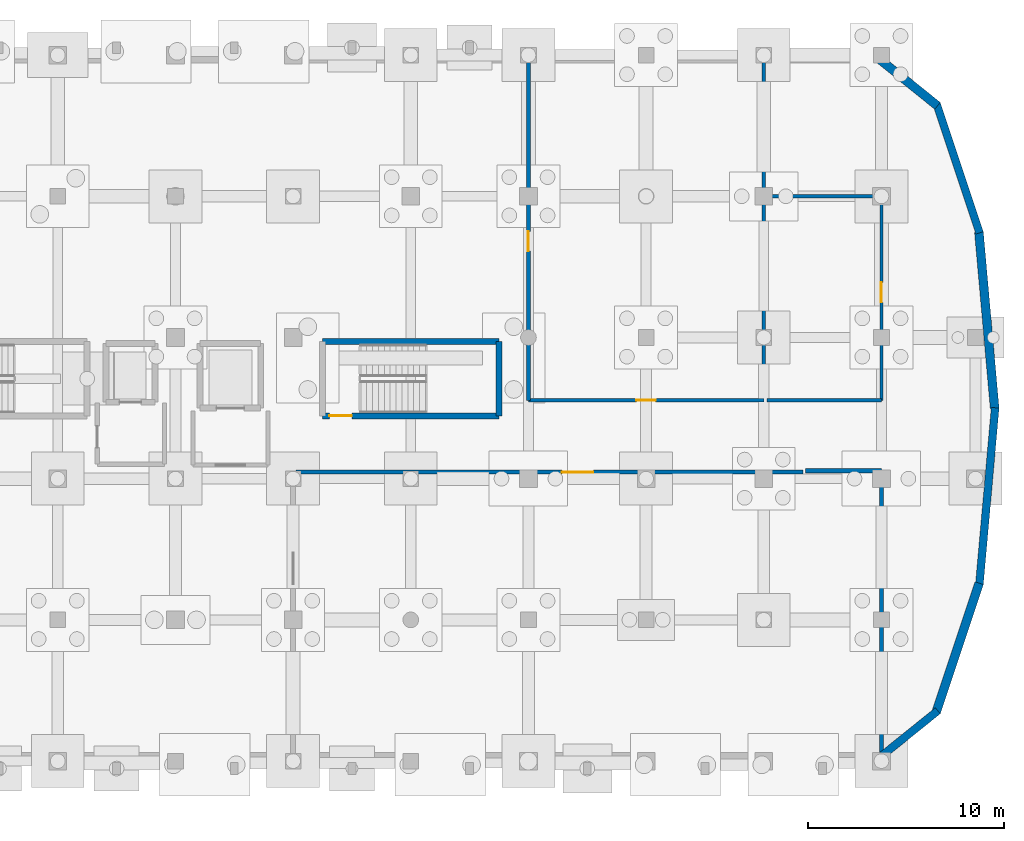
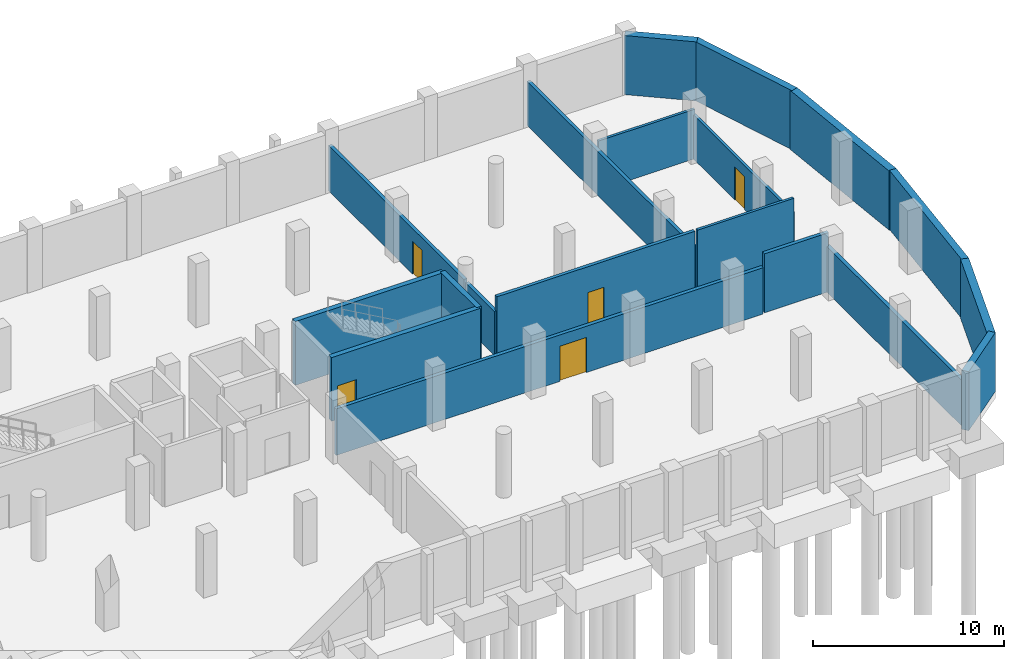
# One storey, part 7 of 11: 19 walls, 5 doors, 5 openings.
"""IFC4 building model written with IfcOpenShell, lengths in metres."""

from ifc_helpers import new_model, si_unit, direction, frame, frame_2d, origin, place, context, subcontext, project, spatial, rectangle, extrude, material, layer, layer_set, type_object, element, fill, save


model = new_model("IFC4")

# Units and contexts
model_context = context("Model", 3, precision=1e-05, world=origin(), true_north=direction((0.0, 1.0)))
body_context = subcontext(model_context, "Body", "Model", "MODEL_VIEW")
ifc_project = project(units=[si_unit("LENGTHUNIT", "METRE"), si_unit("AREAUNIT", "SQUARE_METRE"), si_unit("VOLUMEUNIT", "CUBIC_METRE"), si_unit("PLANEANGLEUNIT", "RADIAN"), si_unit("MASSUNIT", "GRAM", prefix="KILO")], contexts=[model_context])

# Site, building, storey
site_placement = place(None, origin())
site = spatial("IfcSite", under=ifc_project, at=site_placement, CompositionType="ELEMENT")
building_placement = place(site_placement, origin())
building = spatial("IfcBuilding", under=site, at=building_placement, Name="Dunvalen Ferry Terminal", CompositionType="ELEMENT")
storey_placement = place(building_placement, frame((0.0, 0.0, -4.080078125)))
storey = spatial("IfcBuildingStorey", under=building, at=storey_placement, Name="B1", CompositionType="ELEMENT", Elevation=-4.080078125)

# Wall, opening, door
ifc_material_1 = material(Name="Autoclaved aerated concrete blockwork", Category="masonry")
ifc_layer_1 = layer(ifc_material_1, 0.199951171875, Name="Autoclaved aerated concrete blockwork")
ifc_layer_set_1 = layer_set([ifc_layer_1], Name="Autoclaved aerated concrete blockwork")
wall_type_1 = type_object("IfcWallType", Name="INT-WL-CMP200", PredefinedType="PARTITIONING", material=ifc_layer_set_1)
wall_1_placement = place(storey_placement, frame((72.0, 21.60009765625, 0.0), z_axis=(0.0, 0.0, 1.0), x_axis=(0.0, 1.0, 0.0)))
wall_1 = element("IfcWall", 1, at=wall_1_placement, inside=storey, type_object=wall_type_1, Name="B1 B1 Terminal Equipment Store and Maintenance Workshop Partition 4", PredefinedType="PARTITIONING", context=body_context, shape_type="SweptSolid", body=[
    extrude(rectangle(XDim=14.179931640625, YDim=0.199951171875, at=frame_2d((7.08984375, 0.0))), origin(), (0.0, 0.0, 1.0), 2.920166015625),
])
opening_1_placement = place(wall_1_placement, frame((4.40625, 0.0, 0.0)))
opening_1 = element("IfcOpeningElement", 2, at=opening_1_placement, cuts=wall_1, Name="Opening ID-10", PredefinedType="OPENING", context=body_context, shape_type="SweptSolid", body=[
    extrude(rectangle(XDim=1.0, YDim=2.1201171875, at=frame_2d((0.5, 1.06005859375))), frame((0.0, 0.10986328125, 0.0), z_axis=(0.0, -1.0, 0.0), x_axis=(1.0, 0.0, 0.0)), (0.0, 0.0, 1.0), 0.219970703125),
])
ifc_material_2 = material(Name="FSC European oak acoustic fire door", Category="wood")
door_type_1 = type_object("IfcDoorType", Name="INT-DR-OFF-1000", OperationType="NOTDEFINED", PredefinedType="DOOR", material=ifc_material_2)
door_1_placement = place(opening_1_placement, origin())
door_1 = element("IfcDoor", 3, at=door_1_placement, inside=storey, type_object=door_type_1, Name="B1 Terminal Equipment Store and Maintenance Workshop Door", OperationType="SINGLE_SWING_LEFT", OverallHeight=2.1201171875, OverallWidth=1.0, PredefinedType="DOOR", context=body_context, shape_type="SweptSolid", body=[
    extrude(rectangle(XDim=1.0, YDim=2.1201171875, at=frame_2d((0.5, 1.06005859375))), frame((0.0, 0.02490234375, 0.0), z_axis=(0.0, -1.0, 0.0), x_axis=(1.0, 0.0, 0.0)), (0.0, 0.0, 1.0), 0.050048828125),
])
fill(opening_1, door_1)

# Wall
wall_2_placement = place(storey_placement, frame((72.0, 21.43994140625, 0.0), z_axis=(0.0, 0.0, 1.0), x_axis=(0.0, -1.0, 0.0)))
element("IfcWall", 4, at=wall_2_placement, inside=storey, type_object=wall_type_1, Name="B1 B1 Port Staff Changing and Shower Room Partition 5", PredefinedType="PARTITIONING", context=body_context, shape_type="SweptSolid", body=[
    extrude(rectangle(XDim=3.0400390625, YDim=0.199951171875, at=frame_2d((1.52001953125, 0.0))), origin(), (0.0, 0.0, 1.0), 2.820068359375),
])

# Wall, opening, door
wall_3_placement = place(storey_placement, frame((72.0, 18.39990234375, 0.0), z_axis=(0.0, 0.0, 1.0), x_axis=(1.0, 0.0, 0.0)))
wall_3 = element("IfcWall", 5, at=wall_3_placement, inside=storey, type_object=wall_type_1, Name="B1 B1 Port Staff Changing and Shower Room Partition 6", PredefinedType="PARTITIONING", context=body_context, shape_type="SweptSolid", body=[
    extrude(rectangle(XDim=12.0, YDim=0.199951171875, at=frame_2d((6.0, 0.0))), origin(), (0.0, 0.0, 1.0), 3.780029296875),
])
opening_2_placement = place(wall_3_placement, frame((5.510009765625, 0.0, 0.0)))
opening_2 = element("IfcOpeningElement", 6, at=opening_2_placement, cuts=wall_3, Name="Opening ID-11", PredefinedType="OPENING", context=body_context, shape_type="SweptSolid", body=[
    extrude(rectangle(XDim=0.97998046875, YDim=2.1201171875, at=frame_2d((0.489990234375, 1.06005859375))), frame((0.0, 0.10986328125, 0.0), z_axis=(0.0, -1.0, 0.0), x_axis=(1.0, 0.0, 0.0)), (0.0, 0.0, 1.0), 0.219970703125),
])
door_type_2 = type_object("IfcDoorType", Name="INT-DR-OFF-0980", OperationType="NOTDEFINED", PredefinedType="DOOR", material=ifc_material_2)
door_2_placement = place(opening_2_placement, origin())
door_2 = element("IfcDoor", 7, at=door_2_placement, inside=storey, type_object=door_type_2, Name="B1 Port Staff Changing and Shower Room Door", OperationType="SINGLE_SWING_RIGHT", OverallHeight=2.1201171875, OverallWidth=0.97998046875, PredefinedType="DOOR", context=body_context, shape_type="SweptSolid", body=[
    extrude(rectangle(XDim=0.97998046875, YDim=2.1201171875, at=frame_2d((0.489990234375, 1.06005859375))), frame((0.0, 0.02490234375, 0.0), z_axis=(0.0, -1.0, 0.0), x_axis=(1.0, 0.0, 0.0)), (0.0, 0.0, 1.0), 0.050048828125),
])
fill(opening_2, door_2)

# Walls
wall_4_placement = place(storey_placement, frame((84.0, 18.39990234375, 0.0), z_axis=(0.0, 0.0, 1.0), x_axis=(0.0, 1.0, 0.0)))
element("IfcWall", 8, at=wall_4_placement, inside=storey, type_object=wall_type_1, Name="B1 B1 Port Staff Changing and Shower Room Partition 7", PredefinedType="PARTITIONING", context=body_context, shape_type="SweptSolid", body=[
    extrude(rectangle(XDim=17.380126953125, YDim=0.199951171875, at=frame_2d((8.68994140625, 0.0))), origin(), (0.0, 0.0, 1.0), 2.820068359375),
])
ifc_material_3 = material(Name="Concrete C35/45", Category="concrete")
ifc_layer_2 = layer(ifc_material_3, 0.219970703125, Name="Concrete C35/45")
ifc_layer_set_2 = layer_set([ifc_layer_2], Name="Concrete C35/45")
wall_type_2 = type_object("IfcWallType", Name="INT-WL-CMP220", PredefinedType="SOLIDWALL", material=ifc_layer_set_2)
wall_5_placement = place(storey_placement, frame((90.0, 0.2822265625, 0.0), z_axis=(0.0, 0.0, 1.0), x_axis=(0.0, 1.0, 0.0)))
element("IfcWall", 9, at=wall_5_placement, inside=storey, type_object=wall_type_2, Name="B1 B1 Sprinkler and Potable Water Storage Room Partition 1", PredefinedType="SOLIDWALL", context=body_context, shape_type="SweptSolid", body=[
    extrude(rectangle(XDim=14.517822265625, YDim=0.219970703125, at=frame_2d((7.2587890625, 0.0))), origin(), (0.0, 0.0, 1.0), 2.920166015625),
])
wall_6_placement = place(storey_placement, frame((90.0, 14.800048828125, 0.0), z_axis=(0.0, 0.0, 1.0), x_axis=(-1.0, 0.0, 0.0)))
element("IfcWall", 10, at=wall_6_placement, inside=storey, type_object=wall_type_2, Name="B1 B1 Sprinkler and Potable Water Storage Room Partition 2", PredefinedType="SOLIDWALL", context=body_context, shape_type="SweptSolid", body=[
    extrude(rectangle(XDim=3.875244140625, YDim=0.219970703125, at=frame_2d((1.9375, 0.0))), origin(), (0.0, 0.0, 1.0), 3.780029296875),
])

# Wall, opening, door
wall_7_placement = place(storey_placement, frame((86.0, 14.739990234375, 0.0), z_axis=(0.0, 0.0, 1.0), x_axis=(-1.0, 0.0, 0.0)))
wall_7 = element("IfcWall", 11, at=wall_7_placement, inside=storey, type_object=wall_type_2, Name="B1 B1 Sprinkler and Potable Water Storage Room Partition 4", PredefinedType="SOLIDWALL", context=body_context, shape_type="SweptSolid", body=[
    extrude(rectangle(XDim=25.840087890625, YDim=0.219970703125, at=frame_2d((12.919921875, 0.0))), origin(), (0.0, 0.0, 1.0), 2.969970703125),
])
opening_3_placement = place(wall_7_placement, frame((10.6943359375, 0.0, 0.0)))
opening_3 = element("IfcOpeningElement", 12, at=opening_3_placement, cuts=wall_7, Name="Opening ID-05", PredefinedType="OPENING", context=body_context, shape_type="SweptSolid", body=[
    extrude(rectangle(XDim=1.60009765625, YDim=2.25, at=frame_2d((0.800048828125, 1.125))), frame((0.0, 0.1201171875, 0.0), z_axis=(0.0, -1.0, 0.0), x_axis=(1.0, 0.0, 0.0)), (0.0, 0.0, 1.0), 0.239990234375),
])
ifc_material_4 = material(Name="Galvanised acoustic steel fire door", Category="steel")
door_type_3 = type_object("IfcDoorType", Name="INT-DR-PLT-1600", OperationType="DOUBLE_SWING_LEFT", PredefinedType="DOOR", material=ifc_material_4)
door_3_placement = place(opening_3_placement, origin())
door_3 = element("IfcDoor", 13, at=door_3_placement, inside=storey, type_object=door_type_3, Name="B1 Sprinkler and Potable Water Storage Room Door", OperationType="DOUBLE_SWING_LEFT", OverallHeight=2.25, OverallWidth=1.60009765625, PredefinedType="DOOR", context=body_context, shape_type="SweptSolid", body=[
    extrude(rectangle(XDim=1.60009765625, YDim=2.25, at=frame_2d((0.800048828125, 1.125))), frame((0.0, 0.02490234375, 0.0), z_axis=(0.0, -1.0, 0.0), x_axis=(1.0, 0.0, 0.0)), (0.0, 0.0, 1.0), 0.050048828125),
])
fill(opening_3, door_3)

# Wall
ifc_material_5 = material(Name="Moisture-resistant tile-backer partition", Category="gypsum")
ifc_layer_3 = layer(ifc_material_5, 0.159912109375, Name="Moisture-resistant tile-backer partition")
ifc_layer_set_3 = layer_set([ifc_layer_3], Name="Moisture-resistant tile-backer partition")
wall_type_3 = type_object("IfcWallType", Name="INT-WL-PRT160", PredefinedType="PARTITIONING", material=ifc_layer_set_3)
wall_8_placement = place(storey_placement, frame((84.159912109375, 18.39990234375, 0.0), z_axis=(0.0, 0.0, 1.0), x_axis=(1.0, 0.0, 0.0)))
element("IfcWall", 14, at=wall_8_placement, inside=storey, type_object=wall_type_3, Name="B1 B1 Accessible Staff WC Partition 2", PredefinedType="PARTITIONING", context=body_context, shape_type="SweptSolid", body=[
    extrude(rectangle(XDim=5.840087890625, YDim=0.159912109375, at=frame_2d((2.919921875, 0.0))), origin(), (0.0, 0.0, 1.0), 3.780029296875),
])

# Wall, opening, door
wall_9_placement = place(storey_placement, frame((90.0, 18.39990234375, 0.0), z_axis=(0.0, 0.0, 1.0), x_axis=(0.0, 1.0, 0.0)))
wall_9 = element("IfcWall", 15, at=wall_9_placement, inside=storey, type_object=wall_type_3, Name="B1 B1 Accessible Staff WC Partition 3", PredefinedType="PARTITIONING", context=body_context, shape_type="SweptSolid", body=[
    extrude(rectangle(XDim=10.400146484375, YDim=0.159912109375, at=frame_2d((5.2001953125, 0.0))), origin(), (0.0, 0.0, 1.0), 2.820068359375),
])
opening_4_placement = place(wall_9_placement, frame((4.989990234375, 0.0, 0.0)))
opening_4 = element("IfcOpeningElement", 16, at=opening_4_placement, cuts=wall_9, Name="Opening ID-13", PredefinedType="OPENING", context=body_context, shape_type="SweptSolid", body=[
    extrude(rectangle(XDim=1.02001953125, YDim=2.10009765625, at=frame_2d((0.510009765625, 1.050048828125))), frame((0.0, 0.08984375, 0.0), z_axis=(0.0, -1.0, 0.0), x_axis=(1.0, 0.0, 0.0)), (0.0, 0.0, 1.0), 0.179931640625),
])
ifc_material_6 = material(Name="High-pressure laminate moisture-resistant door", Category="wood")
door_type_4 = type_object("IfcDoorType", Name="INT-DR-WC-1020", OperationType="NOTDEFINED", PredefinedType="DOOR", material=ifc_material_6)
door_4_placement = place(opening_4_placement, origin())
door_4 = element("IfcDoor", 17, at=door_4_placement, inside=storey, type_object=door_type_4, Name="B1 Accessible Staff WC Door", OperationType="SINGLE_SWING_LEFT", OverallHeight=2.10009765625, OverallWidth=1.02001953125, PredefinedType="DOOR", context=body_context, shape_type="SweptSolid", body=[
    extrude(rectangle(XDim=1.02001953125, YDim=2.10009765625, at=frame_2d((0.510009765625, 1.050048828125))), frame((0.0, 0.02490234375, 0.0), z_axis=(0.0, -1.0, 0.0), x_axis=(1.0, 0.0, 0.0)), (0.0, 0.0, 1.0), 0.050048828125),
])
fill(opening_4, door_4)

# Walls
wall_10_placement = place(storey_placement, frame((90.0, 28.800048828125, 0.0), z_axis=(0.0, 0.0, 1.0), x_axis=(-1.0, 0.0, 0.0)))
element("IfcWall", 18, at=wall_10_placement, inside=storey, type_object=wall_type_3, Name="B1 B1 Accessible Staff WC Partition 4", PredefinedType="PARTITIONING", context=body_context, shape_type="SweptSolid", body=[
    extrude(rectangle(XDim=5.840087890625, YDim=0.159912109375, at=frame_2d((2.919921875, 0.0))), origin(), (0.0, 0.0, 1.0), 3.170166015625),
])
ifc_material_7 = material(Name="Concrete C40/50", Category="concrete")
ifc_layer_4 = layer(ifc_material_7, 0.39990234375, Name="Concrete C40/50")
ifc_layer_set_4 = layer_set([ifc_layer_4], Name="Concrete C40/50")
wall_type_4 = type_object("IfcWallType", Name="STR-WL-RET400", PredefinedType="USERDEFINED", material=ifc_layer_set_4)
wall_11_placement = place(storey_placement, frame((89.874755859375, 0.156005859375, 0.0), z_axis=(0.0, 0.0, 1.0), x_axis=(0.779424862758, 0.626495716916, 0.0)))
element("IfcWall", 19, at=wall_11_placement, inside=storey, type_object=wall_type_4, Name="B1 Perimeter Retaining Wall 02", ObjectType="RETAINING WALL", PredefinedType="USERDEFINED", context=body_context, shape_type="SweptSolid", body=[
    extrude(rectangle(XDim=3.848876953125, YDim=0.39990234375, at=frame_2d((1.92431640625, 0.0))), origin(), (0.0, 0.0, 1.0), 3.780029296875),
])
wall_12_placement = place(storey_placement, frame((94.9970703125, 9.017822265625, 0.0), z_axis=(0.0, 0.0, 1.0), x_axis=(0.088947255406, 0.996036337568, 0.0)))
element("IfcWall", 20, at=wall_12_placement, inside=storey, type_object=wall_type_4, Name="B1 Perimeter Retaining Wall 04", ObjectType="RETAINING WALL", PredefinedType="USERDEFINED", context=body_context, shape_type="SweptSolid", body=[
    extrude(rectangle(XDim=9.035888671875, YDim=0.39990234375, at=frame_2d((4.51806640625, 0.0))), origin(), (0.0, 0.0, 1.0), 3.780029296875),
])
wall_13_placement = place(storey_placement, frame((95.006591796875, 26.936767578125, 0.0), z_axis=(0.0, 0.0, 1.0), x_axis=(-0.316238311961, 0.948679782671, 0.0)))
element("IfcWall", 21, at=wall_13_placement, inside=storey, type_object=wall_type_4, Name="B1 Perimeter Retaining Wall 06", ObjectType="RETAINING WALL", PredefinedType="USERDEFINED", context=body_context, shape_type="SweptSolid", body=[
    extrude(rectangle(XDim=6.945068359375, YDim=0.39990234375, at=frame_2d((3.47265625, 0.0))), origin(), (0.0, 0.0, 1.0), 3.780029296875),
])
ifc_layer_5 = layer(ifc_material_7, 0.449951171875, Name="Concrete C40/50")
ifc_layer_set_5 = layer_set([ifc_layer_5], Name="Concrete C40/50")
wall_type_5 = type_object("IfcWallType", Name="STR-WL-RET450", PredefinedType="USERDEFINED", material=ifc_layer_set_5)
wall_14_placement = place(storey_placement, frame((92.78662109375, 2.482666015625, 0.0), z_axis=(0.0, 0.0, 1.0), x_axis=(0.316206673776, 0.948690328537, 0.0)))
element("IfcWall", 22, at=wall_14_placement, inside=storey, type_object=wall_type_5, Name="B1 Perimeter Retaining Wall 03", ObjectType="RETAINING WALL", PredefinedType="USERDEFINED", context=body_context, shape_type="SweptSolid", body=[
    extrude(rectangle(XDim=6.945068359375, YDim=0.449951171875, at=frame_2d((3.47265625, 0.0))), origin(), (0.0, 0.0, 1.0), 3.780029296875),
])
wall_15_placement = place(storey_placement, frame((95.77587890625, 17.97998046875, 0.0), z_axis=(0.0, 0.0, 1.0), x_axis=(-0.088947255406, 0.996036337568, 0.0)))
element("IfcWall", 23, at=wall_15_placement, inside=storey, type_object=wall_type_5, Name="B1 Perimeter Retaining Wall 05", ObjectType="RETAINING WALL", PredefinedType="USERDEFINED", context=body_context, shape_type="SweptSolid", body=[
    extrude(rectangle(XDim=9.035888671875, YDim=0.449951171875, at=frame_2d((4.51806640625, 0.0))), origin(), (0.0, 0.0, 1.0), 3.780029296875),
])
wall_16_placement = place(storey_placement, frame((92.85888671875, 33.4130859375, 0.0), z_axis=(0.0, 0.0, 1.0), x_axis=(-0.779393889884, 0.626534248395, 0.0)))
element("IfcWall", 24, at=wall_16_placement, inside=storey, type_object=wall_type_5, Name="B1 Perimeter Retaining Wall 07", ObjectType="RETAINING WALL", PredefinedType="USERDEFINED", context=body_context, shape_type="SweptSolid", body=[
    extrude(rectangle(XDim=3.84912109375, YDim=0.449951171875, at=frame_2d((1.924560546875, 0.0))), origin(), (0.0, 0.0, 1.0), 3.780029296875),
])
ifc_layer_6 = layer(ifc_material_7, 0.300048828125, Name="Concrete C40/50")
ifc_layer_set_6 = layer_set([ifc_layer_6], Name="Concrete C40/50")
wall_type_6 = type_object("IfcWallType", Name="STR-WL-SHR300", PredefinedType="SHEAR", material=ifc_layer_set_6)
wall_17_placement = place(storey_placement, frame((70.5, 17.60009765625, 0.0), z_axis=(0.0, 0.0, 1.0), x_axis=(0.0, 1.0, 0.0)))
element("IfcWall", 25, at=wall_17_placement, inside=storey, type_object=wall_type_6, Name="B1 ST3 Core East Shear Wall", PredefinedType="SHEAR", context=body_context, shape_type="SweptSolid", body=[
    extrude(rectangle(XDim=3.7998046875, YDim=0.300048828125, at=frame_2d((1.89990234375, 0.0))), origin(), (0.0, 0.0, 1.0), 4.080078125),
])
wall_18_placement = place(storey_placement, frame((61.5, 21.39990234375, 0.0), z_axis=(0.0, 0.0, 1.0), x_axis=(1.0, 0.0, 0.0)))
element("IfcWall", 26, at=wall_18_placement, inside=storey, type_object=wall_type_6, Name="B1 ST3 Core North Shear Wall", PredefinedType="SHEAR", context=body_context, shape_type="SweptSolid", body=[
    extrude(rectangle(XDim=9.0, YDim=0.300048828125, at=frame_2d((4.5, 0.0))), origin(), (0.0, 0.0, 1.0), 4.080078125),
])

# Wall, opening, door
wall_19_placement = place(storey_placement, frame((61.5, 17.60009765625, 0.0), z_axis=(0.0, 0.0, 1.0), x_axis=(1.0, 0.0, 0.0)))
wall_19 = element("IfcWall", 27, at=wall_19_placement, inside=storey, type_object=wall_type_6, Name="B1 ST3 Core South Shear Wall", PredefinedType="SHEAR", context=body_context, shape_type="SweptSolid", body=[
    extrude(rectangle(XDim=9.0, YDim=0.300048828125, at=frame_2d((4.5, 0.0))), origin(), (0.0, 0.0, 1.0), 4.080078125),
])
opening_5_placement = place(wall_19_placement, frame((0.35009765625, 0.0, 0.0)))
opening_5 = element("IfcOpeningElement", 28, at=opening_5_placement, cuts=wall_19, Name="Opening ID-02", PredefinedType="OPENING", context=body_context, shape_type="SweptSolid", body=[
    extrude(rectangle(XDim=1.14990234375, YDim=2.14990234375, at=frame_2d((0.574951171875, 1.074951171875))), frame((0.0, 0.16015625, 0.0), z_axis=(0.0, -1.0, 0.0), x_axis=(1.0, 0.0, 0.0)), (0.0, 0.0, 1.0), 0.320068359375),
])
ifc_material_8 = material(Name="Powder-coated steel fire door", Category="steel")
door_type_5 = type_object("IfcDoorType", Name="INT-DR-STR-1150", OperationType="NOTDEFINED", PredefinedType="DOOR", material=ifc_material_8)
door_5_placement = place(opening_5_placement, frame((1.14990234375, 0.0, 0.0), z_axis=(0.0, 0.0, 1.0), x_axis=(-1.0, 0.0, 0.0)))
door_5 = element("IfcDoor", 29, at=door_5_placement, inside=storey, type_object=door_type_5, Name="B1 ST3 Escape Stair Fire Door", OperationType="SINGLE_SWING_LEFT", OverallHeight=2.14990234375, OverallWidth=1.14990234375, PredefinedType="DOOR", context=body_context, shape_type="SweptSolid", body=[
    extrude(rectangle(XDim=1.14990234375, YDim=2.14990234375, at=frame_2d((0.574951171875, 1.074951171875))), frame((0.0, 0.02490234375, 0.0), z_axis=(0.0, -1.0, 0.0), x_axis=(1.0, 0.0, 0.0)), (0.0, 0.0, 1.0), 0.050048828125),
])
fill(opening_5, door_5)

save(model, "model.ifc")
